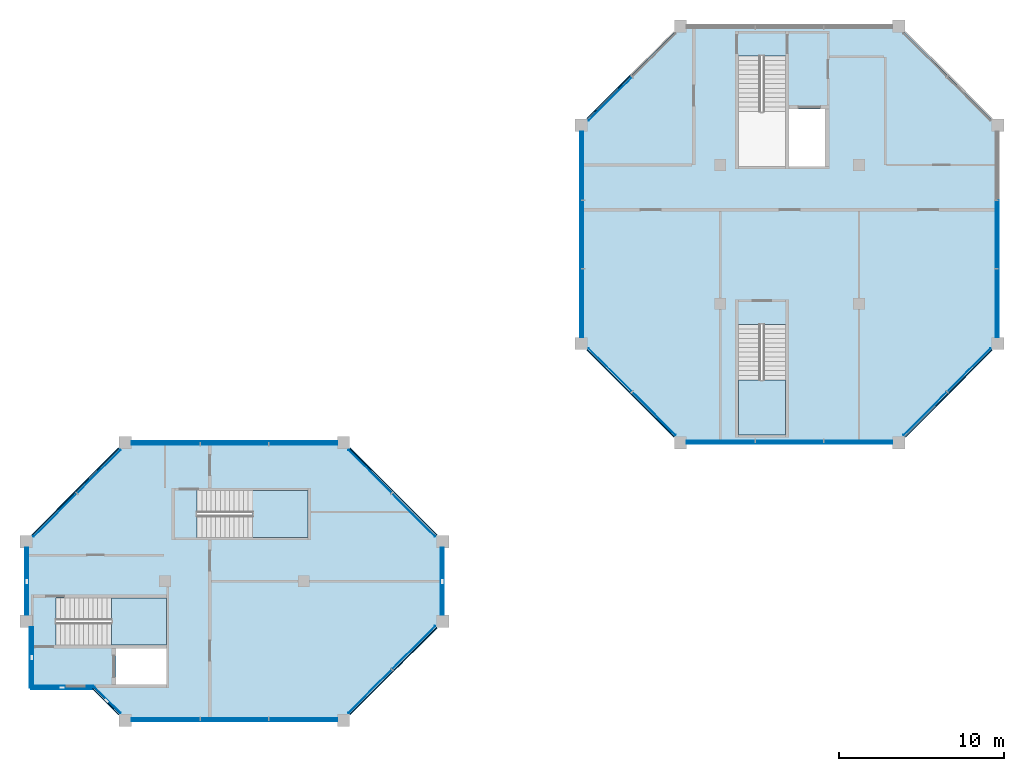
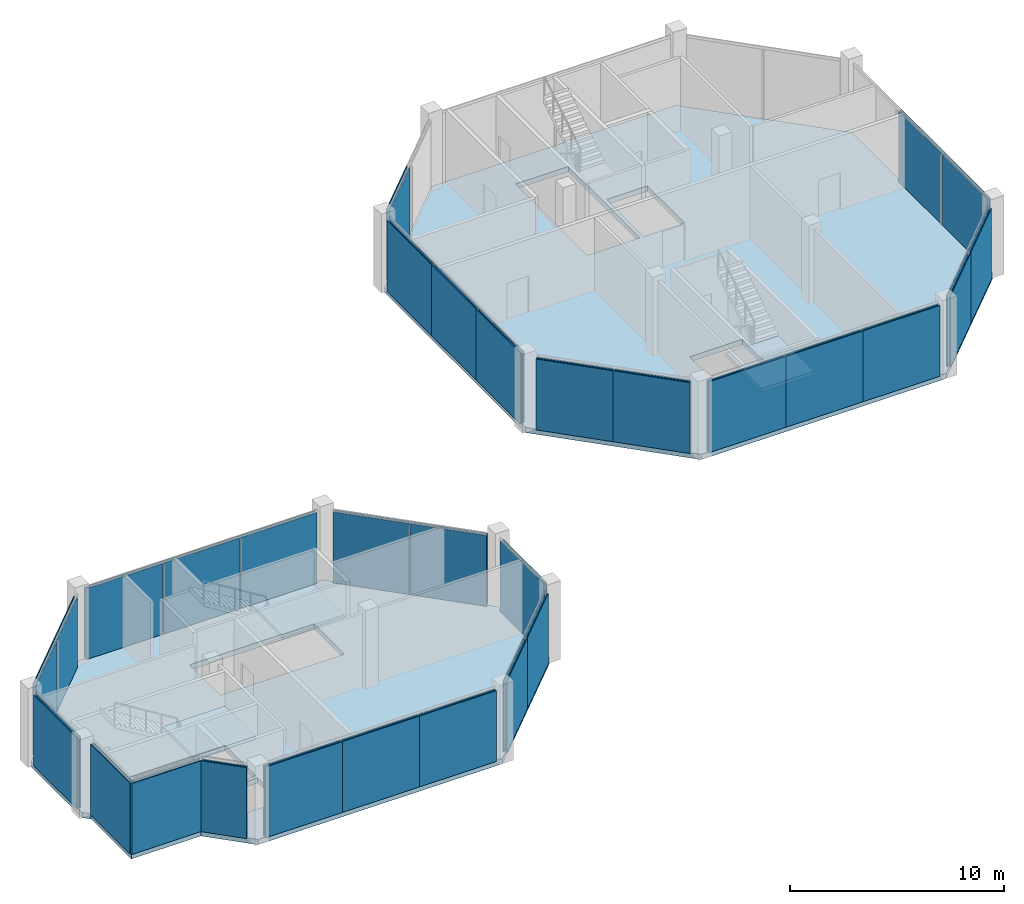
# One storey, part 4 of 9: 60 plates, 5 slabs, 19 elements without a shape of their own.
"""IFC4 building model written with IfcOpenShell, lengths in metres."""

from ifc_helpers import new_model, si_unit, direction, frame, origin, origin_2d, place, context, subcontext, project, spatial, polyline, rectangle, outline, extrude, material, layer, layer_set, type_object, element, aggregate, save


model = new_model("IFC4")

# Units and contexts
model_context = context("Model", 3, precision=1e-05, world=origin(), true_north=direction((0.0, 1.0)))
body_context = subcontext(model_context, "Body", "Model", "MODEL_VIEW")
ifc_project = project(units=[si_unit("LENGTHUNIT", "METRE"), si_unit("AREAUNIT", "SQUARE_METRE"), si_unit("VOLUMEUNIT", "CUBIC_METRE"), si_unit("PLANEANGLEUNIT", "RADIAN"), si_unit("MASSUNIT", "GRAM", prefix="KILO")], contexts=[model_context])

# Site, building, storey
site_placement = place(None, origin())
site = spatial("IfcSite", under=ifc_project, at=site_placement, CompositionType="ELEMENT")
building_placement = place(site_placement, origin())
building = spatial("IfcBuilding", under=site, at=building_placement, Name="Kawkab Arch Medical Tower", CompositionType="ELEMENT")
storey_placement = place(building_placement, frame((0.0, 0.0, 345.699951171875)))
storey = spatial("IfcBuildingStorey", under=building, at=storey_placement, Name="L80", CompositionType="ELEMENT", Elevation=345.699951171875)

# Curtain wall, plate
ifc_material_1 = material(Name="Bronze anodised aluminium curtain wall frame", Category="aluminium")
ifc_layer_1 = layer(ifc_material_1, 0.159912109375)
ifc_layer_set_1 = layer_set([ifc_layer_1], Name="Bronze anodised aluminium curtain wall frame")
curtain_wall_type = type_object("IfcCurtainWallType", Name="CW6 helipad lobby and crown glazing", PredefinedType="NOTDEFINED", material=ifc_layer_set_1)
placement_1 = place(storey_placement, origin())
curtain_wall_1 = element("IfcCurtainWall", 1, at=placement_1, inside=storey, type_object=curtain_wall_type, Name="CW6 Helipad lobby and crown glazing R03", PredefinedType="NOTDEFINED")
ifc_material_2 = material(Name="Tinted laminated insulating glass, low iron", Category="glass")
ifc_layer_2 = layer(ifc_material_2, 0.0400390625)
ifc_layer_set_2 = layer_set([ifc_layer_2], Name="Tinted laminated insulating glass, low iron")
plate_type_1 = type_object("IfcPlateType", Name="CW6 glazing unit 40", PredefinedType="CURTAIN_PANEL", material=ifc_layer_set_2)
plate_1_placement = place(storey_placement, frame((35.345703125, -4.3955078125, 0.0), z_axis=(0.0, 0.0, 1.0), x_axis=(-0.707106781187, -0.707106781187, 0.0)))
plate_1 = element("IfcPlate", 2, at=plate_1_placement, type_object=plate_type_1, Name="CW6 glazing unit 1.2", PredefinedType="CURTAIN_PANEL", context=body_context, shape_type="SweptSolid", body=[
    extrude(rectangle(XDim=3.67724609375, YDim=0.0400390625, at=origin_2d()), origin(), (0.0, 0.0, 1.0), 4.0400390625),
])
aggregate(curtain_wall_1, [plate_1])

# Curtain wall, plates
curtain_wall_2 = element("IfcCurtainWall", 3, at=placement_1, inside=storey, type_object=curtain_wall_type, Name="CW6 Helipad lobby and crown glazing R04", PredefinedType="NOTDEFINED")
plate_2_placement = place(storey_placement, frame((33.699951171875, -8.4326171875, 0.0), z_axis=(0.0, 0.0, 1.0), x_axis=(0.0, -1.0, 0.0)))
plate_2 = element("IfcPlate", 4, at=plate_2_placement, type_object=plate_type_1, Name="CW6 glazing unit 1.1", PredefinedType="CURTAIN_PANEL", context=body_context, shape_type="SweptSolid", body=[
    extrude(rectangle(XDim=4.114990234375, YDim=0.0400390625, at=origin_2d()), origin(), (0.0, 0.0, 1.0), 4.0400390625),
])
plate_3_placement = place(storey_placement, frame((33.699951171875, -12.60009765625, 0.0), z_axis=(0.0, 0.0, 1.0), x_axis=(0.0, -1.0, 0.0)))
plate_3 = element("IfcPlate", 5, at=plate_3_placement, type_object=plate_type_1, Name="CW6 glazing unit 1.2", PredefinedType="CURTAIN_PANEL", context=body_context, shape_type="SweptSolid", body=[
    extrude(rectangle(XDim=4.080078125, YDim=0.0400390625, at=origin_2d()), origin(), (0.0, 0.0, 1.0), 4.0400390625),
])
plate_4_placement = place(storey_placement, frame((33.699951171875, -16.767578125, 0.0), z_axis=(0.0, 0.0, 1.0), x_axis=(0.0, -1.0, 0.0)))
plate_4 = element("IfcPlate", 6, at=plate_4_placement, type_object=plate_type_1, Name="CW6 glazing unit 1.3", PredefinedType="CURTAIN_PANEL", context=body_context, shape_type="SweptSolid", body=[
    extrude(rectangle(XDim=4.114990234375, YDim=0.0400390625, at=origin_2d()), origin(), (0.0, 0.0, 1.0), 4.0400390625),
])
aggregate(curtain_wall_2, [plate_2, plate_3, plate_4])

curtain_wall_3 = element("IfcCurtainWall", 7, at=placement_1, inside=storey, type_object=curtain_wall_type, Name="CW6 Helipad lobby and crown glazing R05", PredefinedType="NOTDEFINED")
plate_5_placement = place(storey_placement, frame((35.345703125, -20.804443359375, 0.0), z_axis=(0.0, 0.0, 1.0), x_axis=(0.707106781187, -0.707106781187, 0.0)))
plate_5 = element("IfcPlate", 8, at=plate_5_placement, type_object=plate_type_1, Name="CW6 glazing unit 1.1", PredefinedType="CURTAIN_PANEL", context=body_context, shape_type="SweptSolid", body=[
    extrude(rectangle(XDim=3.67724609375, YDim=0.0400390625, at=origin_2d()), origin(), (0.0, 0.0, 1.0), 4.0400390625),
])
plate_6_placement = place(storey_placement, frame((37.99560546875, -23.4541015625, 0.0), z_axis=(0.0, 0.0, 1.0), x_axis=(0.707106781187, -0.707106781187, 0.0)))
plate_6 = element("IfcPlate", 9, at=plate_6_placement, type_object=plate_type_1, Name="CW6 glazing unit 1.2", PredefinedType="CURTAIN_PANEL", context=body_context, shape_type="SweptSolid", body=[
    extrude(rectangle(XDim=3.67724609375, YDim=0.0400390625, at=origin_2d()), origin(), (0.0, 0.0, 1.0), 4.0400390625),
])
aggregate(curtain_wall_3, [plate_5, plate_6])

curtain_wall_4 = element("IfcCurtainWall", 10, at=placement_1, inside=storey, type_object=curtain_wall_type, Name="CW6 Helipad lobby and crown glazing R06", PredefinedType="NOTDEFINED")
plate_7_placement = place(storey_placement, frame((42.032470703125, -25.10009765625, 0.0), z_axis=(0.0, 0.0, 1.0), x_axis=(1.0, 0.0, 0.0)))
plate_7 = element("IfcPlate", 11, at=plate_7_placement, type_object=plate_type_1, Name="CW6 glazing unit 1.1", PredefinedType="CURTAIN_PANEL", context=body_context, shape_type="SweptSolid", body=[
    extrude(rectangle(XDim=4.114990234375, YDim=0.0400390625, at=origin_2d()), origin(), (0.0, 0.0, 1.0), 4.0400390625),
])
plate_8_placement = place(storey_placement, frame((46.199951171875, -25.10009765625, 0.0), z_axis=(0.0, 0.0, 1.0), x_axis=(1.0, 0.0, 0.0)))
plate_8 = element("IfcPlate", 12, at=plate_8_placement, type_object=plate_type_1, Name="CW6 glazing unit 1.2", PredefinedType="CURTAIN_PANEL", context=body_context, shape_type="SweptSolid", body=[
    extrude(rectangle(XDim=4.080078125, YDim=0.0400390625, at=origin_2d()), origin(), (0.0, 0.0, 1.0), 4.0400390625),
])
plate_9_placement = place(storey_placement, frame((50.367431640625, -25.10009765625, 0.0), z_axis=(0.0, 0.0, 1.0), x_axis=(1.0, 0.0, 0.0)))
plate_9 = element("IfcPlate", 13, at=plate_9_placement, type_object=plate_type_1, Name="CW6 glazing unit 1.3", PredefinedType="CURTAIN_PANEL", context=body_context, shape_type="SweptSolid", body=[
    extrude(rectangle(XDim=4.114990234375, YDim=0.0400390625, at=origin_2d()), origin(), (0.0, 0.0, 1.0), 4.0400390625),
])
aggregate(curtain_wall_4, [plate_7, plate_8, plate_9])

curtain_wall_5 = element("IfcCurtainWall", 14, at=placement_1, inside=storey, type_object=curtain_wall_type, Name="CW6 Helipad lobby and crown glazing R07", PredefinedType="NOTDEFINED")
plate_10_placement = place(storey_placement, frame((54.404296875, -23.4541015625, 0.0), z_axis=(0.0, 0.0, 1.0), x_axis=(0.707106781187, 0.707106781187, 0.0)))
plate_10 = element("IfcPlate", 15, at=plate_10_placement, type_object=plate_type_1, Name="CW6 glazing unit 1.1", PredefinedType="CURTAIN_PANEL", context=body_context, shape_type="SweptSolid", body=[
    extrude(rectangle(XDim=3.67724609375, YDim=0.0400390625, at=origin_2d()), origin(), (0.0, 0.0, 1.0), 4.0400390625),
])
plate_11_placement = place(storey_placement, frame((57.05419921875, -20.804443359375, 0.0), z_axis=(0.0, 0.0, 1.0), x_axis=(0.707106781187, 0.707106781187, 0.0)))
plate_11 = element("IfcPlate", 16, at=plate_11_placement, type_object=plate_type_1, Name="CW6 glazing unit 1.2", PredefinedType="CURTAIN_PANEL", context=body_context, shape_type="SweptSolid", body=[
    extrude(rectangle(XDim=3.67724609375, YDim=0.0400390625, at=origin_2d()), origin(), (0.0, 0.0, 1.0), 4.0400390625),
])
aggregate(curtain_wall_5, [plate_10, plate_11])

curtain_wall_6 = element("IfcCurtainWall", 17, at=placement_1, inside=storey, type_object=curtain_wall_type, Name="CW6 Helipad lobby and crown glazing R08", PredefinedType="NOTDEFINED")
plate_12_placement = place(storey_placement, frame((58.699951171875, -16.767578125, 0.0), z_axis=(0.0, 0.0, 1.0), x_axis=(0.0, 1.0, 0.0)))
plate_12 = element("IfcPlate", 18, at=plate_12_placement, type_object=plate_type_1, Name="CW6 glazing unit 1.1", PredefinedType="CURTAIN_PANEL", context=body_context, shape_type="SweptSolid", body=[
    extrude(rectangle(XDim=4.114990234375, YDim=0.0400390625, at=origin_2d()), origin(), (0.0, 0.0, 1.0), 4.0400390625),
])
plate_13_placement = place(storey_placement, frame((58.699951171875, -12.60009765625, 0.0), z_axis=(0.0, 0.0, 1.0), x_axis=(0.0, 1.0, 0.0)))
plate_13 = element("IfcPlate", 19, at=plate_13_placement, type_object=plate_type_1, Name="CW6 glazing unit 1.2", PredefinedType="CURTAIN_PANEL", context=body_context, shape_type="SweptSolid", body=[
    extrude(rectangle(XDim=4.080078125, YDim=0.0400390625, at=origin_2d()), origin(), (0.0, 0.0, 1.0), 4.0400390625),
])
aggregate(curtain_wall_6, [plate_12, plate_13])

curtain_wall_7 = element("IfcCurtainWall", 20, at=placement_1, inside=storey, type_object=curtain_wall_type, Name="CW6 Helipad lobby and crown glazing R09", PredefinedType="NOTDEFINED")
plate_14_placement = place(storey_placement, frame((23.4541015625, -29.595703125, 0.0), z_axis=(0.0, 0.0, 1.0), x_axis=(-0.707106781187, 0.707106781187, 0.0)))
plate_14 = element("IfcPlate", 21, at=plate_14_placement, type_object=plate_type_1, Name="CW6 glazing unit 1.1", PredefinedType="CURTAIN_PANEL", context=body_context, shape_type="SweptSolid", body=[
    extrude(rectangle(XDim=3.67724609375, YDim=0.0400390625, at=origin_2d()), origin(), (0.0, 0.0, 1.0), 4.0400390625),
])
plate_15_placement = place(storey_placement, frame((20.804443359375, -26.94580078125, 0.0), z_axis=(0.0, 0.0, 1.0), x_axis=(-0.707106781187, 0.707106781187, 0.0)))
plate_15 = element("IfcPlate", 22, at=plate_15_placement, type_object=plate_type_1, Name="CW6 glazing unit 1.2", PredefinedType="CURTAIN_PANEL", context=body_context, shape_type="SweptSolid", body=[
    extrude(rectangle(XDim=3.67724609375, YDim=0.0400390625, at=origin_2d()), origin(), (0.0, 0.0, 1.0), 4.0400390625),
])
aggregate(curtain_wall_7, [plate_14, plate_15])

curtain_wall_8 = element("IfcCurtainWall", 23, at=placement_1, inside=storey, type_object=curtain_wall_type, Name="CW6 Helipad lobby and crown glazing R10", PredefinedType="NOTDEFINED")
plate_16_placement = place(storey_placement, frame((16.767578125, -25.300048828125, 0.0), z_axis=(0.0, 0.0, 1.0), x_axis=(-1.0, 0.0, 0.0)))
plate_16 = element("IfcPlate", 24, at=plate_16_placement, type_object=plate_type_1, Name="CW6 glazing unit 1.1", PredefinedType="CURTAIN_PANEL", context=body_context, shape_type="SweptSolid", body=[
    extrude(rectangle(XDim=4.114990234375, YDim=0.0400390625, at=origin_2d()), origin(), (0.0, 0.0, 1.0), 4.0400390625),
])
plate_17_placement = place(storey_placement, frame((12.60009765625, -25.300048828125, 0.0), z_axis=(0.0, 0.0, 1.0), x_axis=(-1.0, 0.0, 0.0)))
plate_17 = element("IfcPlate", 25, at=plate_17_placement, type_object=plate_type_1, Name="CW6 glazing unit 1.2", PredefinedType="CURTAIN_PANEL", context=body_context, shape_type="SweptSolid", body=[
    extrude(rectangle(XDim=4.080078125, YDim=0.0400390625, at=origin_2d()), origin(), (0.0, 0.0, 1.0), 4.0400390625),
])
plate_18_placement = place(storey_placement, frame((8.4326171875, -25.300048828125, 0.0), z_axis=(0.0, 0.0, 1.0), x_axis=(-1.0, 0.0, 0.0)))
plate_18 = element("IfcPlate", 26, at=plate_18_placement, type_object=plate_type_1, Name="CW6 glazing unit 1.3", PredefinedType="CURTAIN_PANEL", context=body_context, shape_type="SweptSolid", body=[
    extrude(rectangle(XDim=4.114990234375, YDim=0.0400390625, at=origin_2d()), origin(), (0.0, 0.0, 1.0), 4.0400390625),
])
aggregate(curtain_wall_8, [plate_16, plate_17, plate_18])

curtain_wall_9 = element("IfcCurtainWall", 27, at=placement_1, inside=storey, type_object=curtain_wall_type, Name="CW6 Helipad lobby and crown glazing R11", PredefinedType="NOTDEFINED")
plate_19_placement = place(storey_placement, frame((4.3955078125, -26.94580078125, 0.0), z_axis=(0.0, 0.0, 1.0), x_axis=(-0.707106781187, -0.707106781187, 0.0)))
plate_19 = element("IfcPlate", 28, at=plate_19_placement, type_object=plate_type_1, Name="CW6 glazing unit 1.1", PredefinedType="CURTAIN_PANEL", context=body_context, shape_type="SweptSolid", body=[
    extrude(rectangle(XDim=3.67724609375, YDim=0.0400390625, at=origin_2d()), origin(), (0.0, 0.0, 1.0), 4.0400390625),
])
plate_20_placement = place(storey_placement, frame((1.745849609375, -29.595703125, 0.0), z_axis=(0.0, 0.0, 1.0), x_axis=(-0.707106781187, -0.707106781187, 0.0)))
plate_20 = element("IfcPlate", 29, at=plate_20_placement, type_object=plate_type_1, Name="CW6 glazing unit 1.2", PredefinedType="CURTAIN_PANEL", context=body_context, shape_type="SweptSolid", body=[
    extrude(rectangle(XDim=3.67724609375, YDim=0.0400390625, at=origin_2d()), origin(), (0.0, 0.0, 1.0), 4.0400390625),
])
aggregate(curtain_wall_9, [plate_19, plate_20])

# Curtain wall, plate
curtain_wall_10 = element("IfcCurtainWall", 30, at=placement_1, inside=storey, type_object=curtain_wall_type, Name="CW6 Helipad lobby and crown glazing R12", PredefinedType="NOTDEFINED")
plate_21_placement = place(storey_placement, frame((0.10009765625, -33.60009765625, 0.0), z_axis=(0.0, 0.0, 1.0), x_axis=(0.0, -1.0, 0.0)))
plate_21 = element("IfcPlate", 31, at=plate_21_placement, type_object=plate_type_1, Name="CW6 glazing unit 1.1", PredefinedType="CURTAIN_PANEL", context=body_context, shape_type="SweptSolid", body=[
    extrude(rectangle(XDim=4.050048828125, YDim=0.0400390625, at=origin_2d()), origin(), (0.0, 0.0, 1.0), 4.0400390625),
])
aggregate(curtain_wall_10, [plate_21])

curtain_wall_11 = element("IfcCurtainWall", 32, at=placement_1, inside=storey, type_object=curtain_wall_type, Name="CW6 Helipad lobby and crown glazing R14", PredefinedType="NOTDEFINED")
plate_22_placement = place(storey_placement, frame((0.39990234375, -38.21240234375, 0.0), z_axis=(0.0, 0.0, 1.0), x_axis=(0.0, -1.0, 0.0)))
plate_22 = element("IfcPlate", 33, at=plate_22_placement, type_object=plate_type_1, Name="CW6 glazing unit 1.1", PredefinedType="CURTAIN_PANEL", context=body_context, shape_type="SweptSolid", body=[
    extrude(rectangle(XDim=3.675048828125, YDim=0.0400390625, at=origin_2d()), origin(), (0.0, 0.0, 1.0), 4.0400390625),
])
aggregate(curtain_wall_11, [plate_22])

curtain_wall_12 = element("IfcCurtainWall", 34, at=placement_1, inside=storey, type_object=curtain_wall_type, Name="CW6 Helipad lobby and crown glazing R15", PredefinedType="NOTDEFINED")
plate_23_placement = place(storey_placement, frame((2.175048828125, -39.949951171875, 0.0), z_axis=(0.0, 0.0, 1.0), x_axis=(1.0, 0.0, 0.0)))
plate_23 = element("IfcPlate", 35, at=plate_23_placement, type_object=plate_type_1, Name="CW6 glazing unit 1.1", PredefinedType="CURTAIN_PANEL", context=body_context, shape_type="SweptSolid", body=[
    extrude(rectangle(XDim=3.75, YDim=0.0400390625, at=origin_2d()), origin(), (0.0, 0.0, 1.0), 4.0400390625),
])
aggregate(curtain_wall_12, [plate_23])

curtain_wall_13 = element("IfcCurtainWall", 36, at=placement_1, inside=storey, type_object=curtain_wall_type, Name="CW6 Helipad lobby and crown glazing R16", PredefinedType="NOTDEFINED")
plate_24_placement = place(storey_placement, frame((4.908203125, -40.766845703125, 0.0), z_axis=(0.0, 0.0, 1.0), x_axis=(0.707106781187, -0.707106781187, 0.0)))
plate_24 = element("IfcPlate", 37, at=plate_24_placement, type_object=plate_type_1, Name="CW6 glazing unit 1.1", PredefinedType="CURTAIN_PANEL", context=body_context, shape_type="SweptSolid", body=[
    extrude(rectangle(XDim=2.227294921875, YDim=0.0400390625, at=origin_2d()), origin(), (0.0, 0.0, 1.0), 4.0400390625),
])
aggregate(curtain_wall_13, [plate_24])

# Curtain wall, plates
curtain_wall_14 = element("IfcCurtainWall", 38, at=placement_1, inside=storey, type_object=curtain_wall_type, Name="CW6 Helipad lobby and crown glazing R17", PredefinedType="NOTDEFINED")
plate_25_placement = place(storey_placement, frame((8.4326171875, -41.89990234375, 0.0), z_axis=(0.0, 0.0, 1.0), x_axis=(1.0, 0.0, 0.0)))
plate_25 = element("IfcPlate", 39, at=plate_25_placement, type_object=plate_type_1, Name="CW6 glazing unit 1.1", PredefinedType="CURTAIN_PANEL", context=body_context, shape_type="SweptSolid", body=[
    extrude(rectangle(XDim=4.114990234375, YDim=0.0400390625, at=origin_2d()), origin(), (0.0, 0.0, 1.0), 4.0400390625),
])
plate_26_placement = place(storey_placement, frame((12.60009765625, -41.89990234375, 0.0), z_axis=(0.0, 0.0, 1.0), x_axis=(1.0, 0.0, 0.0)))
plate_26 = element("IfcPlate", 40, at=plate_26_placement, type_object=plate_type_1, Name="CW6 glazing unit 1.2", PredefinedType="CURTAIN_PANEL", context=body_context, shape_type="SweptSolid", body=[
    extrude(rectangle(XDim=4.080078125, YDim=0.0400390625, at=origin_2d()), origin(), (0.0, 0.0, 1.0), 4.0400390625),
])
plate_27_placement = place(storey_placement, frame((16.767578125, -41.89990234375, 0.0), z_axis=(0.0, 0.0, 1.0), x_axis=(1.0, 0.0, 0.0)))
plate_27 = element("IfcPlate", 41, at=plate_27_placement, type_object=plate_type_1, Name="CW6 glazing unit 1.3", PredefinedType="CURTAIN_PANEL", context=body_context, shape_type="SweptSolid", body=[
    extrude(rectangle(XDim=4.114990234375, YDim=0.0400390625, at=origin_2d()), origin(), (0.0, 0.0, 1.0), 4.0400390625),
])
aggregate(curtain_wall_14, [plate_25, plate_26, plate_27])

curtain_wall_15 = element("IfcCurtainWall", 42, at=placement_1, inside=storey, type_object=curtain_wall_type, Name="CW6 Helipad lobby and crown glazing R18", PredefinedType="NOTDEFINED")
plate_28_placement = place(storey_placement, frame((20.804443359375, -40.254150390625, 0.0), z_axis=(0.0, 0.0, 1.0), x_axis=(0.707106781187, 0.707106781187, 0.0)))
plate_28 = element("IfcPlate", 43, at=plate_28_placement, type_object=plate_type_1, Name="CW6 glazing unit 1.1", PredefinedType="CURTAIN_PANEL", context=body_context, shape_type="SweptSolid", body=[
    extrude(rectangle(XDim=3.67724609375, YDim=0.0400390625, at=origin_2d()), origin(), (0.0, 0.0, 1.0), 4.0400390625),
])
plate_29_placement = place(storey_placement, frame((23.4541015625, -37.6044921875, 0.0), z_axis=(0.0, 0.0, 1.0), x_axis=(0.707106781187, 0.707106781187, 0.0)))
plate_29 = element("IfcPlate", 44, at=plate_29_placement, type_object=plate_type_1, Name="CW6 glazing unit 1.2", PredefinedType="CURTAIN_PANEL", context=body_context, shape_type="SweptSolid", body=[
    extrude(rectangle(XDim=3.67724609375, YDim=0.0400390625, at=origin_2d()), origin(), (0.0, 0.0, 1.0), 4.0400390625),
])
aggregate(curtain_wall_15, [plate_28, plate_29])

# Curtain wall, plate
curtain_wall_16 = element("IfcCurtainWall", 45, at=placement_1, inside=storey, type_object=curtain_wall_type, Name="CW6 Helipad lobby and crown glazing R19", PredefinedType="NOTDEFINED")
plate_30_placement = place(storey_placement, frame((25.10009765625, -33.60009765625, 0.0), z_axis=(0.0, 0.0, 1.0), x_axis=(0.0, 1.0, 0.0)))
plate_30 = element("IfcPlate", 46, at=plate_30_placement, type_object=plate_type_1, Name="CW6 glazing unit 1.1", PredefinedType="CURTAIN_PANEL", context=body_context, shape_type="SweptSolid", body=[
    extrude(rectangle(XDim=4.050048828125, YDim=0.0400390625, at=origin_2d()), origin(), (0.0, 0.0, 1.0), 4.0400390625),
])
aggregate(curtain_wall_16, [plate_30])

# Plates
ifc_material_3 = material(Name="Bronze anodised aluminium perforated screen", Category="aluminium")
ifc_layer_3 = layer(ifc_material_3, 0.050048828125)
ifc_layer_set_3 = layer_set([ifc_layer_3], Name="Bronze anodised aluminium perforated screen")
plate_type_2 = type_object("IfcPlateType", Name="Crown perforated star screen 50", PredefinedType="USERDEFINED", material=ifc_layer_set_3)
plate_31_placement = place(storey_placement, frame((35.255615234375, -4.28076171875, 0.0), z_axis=(0.0, 0.0, 1.0), x_axis=(-0.707106781187, -0.707106781187, 0.0)))
element("IfcPlate", 47, at=plate_31_placement, inside=storey, type_object=plate_type_2, Name="Crown screen L80 R03.1.2", ObjectType="SCREEN", PredefinedType="USERDEFINED", context=body_context, shape_type="SweptSolid", body=[
    extrude(rectangle(XDim=3.71240234375, YDim=0.050048828125, at=origin_2d()), origin(), (0.0, 0.0, 1.0), 4.0400390625),
])
for number, where, z_axis, x_axis, name in (
    (48, (33.554931640625, -8.449951171875, 0.0), (0.0, 0.0, 1.0), (0.0, -1.0, 0.0), "Crown screen L80 R04.1.1"),
    (49, (33.554931640625, -12.60009765625, 0.0), (0.0, 0.0, 1.0), (0.0, -1.0, 0.0), "Crown screen L80 R04.1.2"),
    (50, (33.554931640625, -16.75, 0.0), (0.0, 0.0, 1.0), (0.0, -1.0, 0.0), "Crown screen L80 R04.1.3"),
):
    element("IfcPlate", number, at=place(storey_placement, frame(where, z_axis=z_axis, x_axis=x_axis)), inside=storey, type_object=plate_type_2, Name=name, ObjectType="SCREEN", PredefinedType="USERDEFINED", context=body_context, shape_type="SweptSolid", body=[
        extrude(rectangle(XDim=4.14990234375, YDim=0.050048828125, at=origin_2d()), origin(), (0.0, 0.0, 1.0), 4.0400390625),
    ])
for number, where, z_axis, x_axis, name in (
    (51, (35.255615234375, -20.919189453125, 0.0), (0.0, 0.0, 1.0), (0.707106781187, -0.707106781187, 0.0), "Crown screen L80 R05.1.1"),
    (52, (37.880615234375, -23.54443359375, 0.0), (0.0, 0.0, 1.0), (0.707106781187, -0.707106781187, 0.0), "Crown screen L80 R05.1.2"),
):
    element("IfcPlate", number, at=place(storey_placement, frame(where, z_axis=z_axis, x_axis=x_axis)), inside=storey, type_object=plate_type_2, Name=name, ObjectType="SCREEN", PredefinedType="USERDEFINED", context=body_context, shape_type="SweptSolid", body=[
        extrude(rectangle(XDim=3.71240234375, YDim=0.050048828125, at=origin_2d()), origin(), (0.0, 0.0, 1.0), 4.0400390625),
    ])
for number, where, z_axis, x_axis, name in (
    (53, (42.050048828125, -25.2451171875, 0.0), (0.0, 0.0, 1.0), (1.0, 0.0, 0.0), "Crown screen L80 R06.1.1"),
    (54, (46.199951171875, -25.2451171875, 0.0), (0.0, 0.0, 1.0), (1.0, 0.0, 0.0), "Crown screen L80 R06.1.2"),
    (55, (50.35009765625, -25.2451171875, 0.0), (0.0, 0.0, 1.0), (1.0, 0.0, 0.0), "Crown screen L80 R06.1.3"),
):
    element("IfcPlate", number, at=place(storey_placement, frame(where, z_axis=z_axis, x_axis=x_axis)), inside=storey, type_object=plate_type_2, Name=name, ObjectType="SCREEN", PredefinedType="USERDEFINED", context=body_context, shape_type="SweptSolid", body=[
        extrude(rectangle(XDim=4.14990234375, YDim=0.050048828125, at=origin_2d()), origin(), (0.0, 0.0, 1.0), 4.0400390625),
    ])
for number, where, z_axis, x_axis, name in (
    (56, (54.519287109375, -23.544189453125, 0.0), (0.0, 0.0, 1.0), (0.707106781187, 0.707106781187, 0.0), "Crown screen L80 R07.1.1"),
    (57, (57.144287109375, -20.919189453125, 0.0), (0.0, 0.0, 1.0), (0.707106781187, 0.707106781187, 0.0), "Crown screen L80 R07.1.2"),
):
    element("IfcPlate", number, at=place(storey_placement, frame(where, z_axis=z_axis, x_axis=x_axis)), inside=storey, type_object=plate_type_2, Name=name, ObjectType="SCREEN", PredefinedType="USERDEFINED", context=body_context, shape_type="SweptSolid", body=[
        extrude(rectangle(XDim=3.71240234375, YDim=0.050048828125, at=origin_2d()), origin(), (0.0, 0.0, 1.0), 4.0400390625),
    ])
for number, where, z_axis, x_axis, name in (
    (58, (58.844970703125, -16.75, 0.0), (0.0, 0.0, 1.0), (0.0, 1.0, 0.0), "Crown screen L80 R08.1.1"),
    (59, (58.844970703125, -12.60009765625, 0.0), (0.0, 0.0, 1.0), (0.0, 1.0, 0.0), "Crown screen L80 R08.1.2"),
):
    element("IfcPlate", number, at=place(storey_placement, frame(where, z_axis=z_axis, x_axis=x_axis)), inside=storey, type_object=plate_type_2, Name=name, ObjectType="SCREEN", PredefinedType="USERDEFINED", context=body_context, shape_type="SweptSolid", body=[
        extrude(rectangle(XDim=4.14990234375, YDim=0.050048828125, at=origin_2d()), origin(), (0.0, 0.0, 1.0), 4.0400390625),
    ])
for number, where, z_axis, x_axis, name in (
    (60, (23.544189453125, -29.480712890625, 0.0), (0.0, 0.0, 1.0), (-0.707106781187, 0.707106781187, 0.0), "Crown screen L80 R09.1.1"),
    (61, (20.919189453125, -26.855712890625, 0.0), (0.0, 0.0, 1.0), (-0.707106781187, 0.707106781187, 0.0), "Crown screen L80 R09.1.2"),
):
    element("IfcPlate", number, at=place(storey_placement, frame(where, z_axis=z_axis, x_axis=x_axis)), inside=storey, type_object=plate_type_2, Name=name, ObjectType="SCREEN", PredefinedType="USERDEFINED", context=body_context, shape_type="SweptSolid", body=[
        extrude(rectangle(XDim=3.71240234375, YDim=0.050048828125, at=origin_2d()), origin(), (0.0, 0.0, 1.0), 4.0400390625),
    ])
for number, where, z_axis, x_axis, name in (
    (62, (16.75, -25.155029296875, 0.0), (0.0, 0.0, 1.0), (-1.0, 0.0, 0.0), "Crown screen L80 R10.1.1"),
    (63, (12.60009765625, -25.155029296875, 0.0), (0.0, 0.0, 1.0), (-1.0, 0.0, 0.0), "Crown screen L80 R10.1.2"),
    (64, (8.449951171875, -25.155029296875, 0.0), (0.0, 0.0, 1.0), (-1.0, 0.0, 0.0), "Crown screen L80 R10.1.3"),
):
    element("IfcPlate", number, at=place(storey_placement, frame(where, z_axis=z_axis, x_axis=x_axis)), inside=storey, type_object=plate_type_2, Name=name, ObjectType="SCREEN", PredefinedType="USERDEFINED", context=body_context, shape_type="SweptSolid", body=[
        extrude(rectangle(XDim=4.14990234375, YDim=0.050048828125, at=origin_2d()), origin(), (0.0, 0.0, 1.0), 4.0400390625),
    ])
for number, where, z_axis, x_axis, name in (
    (65, (4.28076171875, -26.855712890625, 0.0), (0.0, 0.0, 1.0), (-0.707106781187, -0.707106781187, 0.0), "Crown screen L80 R11.1.1"),
    (66, (1.655517578125, -29.480712890625, 0.0), (0.0, 0.0, 1.0), (-0.707106781187, -0.707106781187, 0.0), "Crown screen L80 R11.1.2"),
):
    element("IfcPlate", number, at=place(storey_placement, frame(where, z_axis=z_axis, x_axis=x_axis)), inside=storey, type_object=plate_type_2, Name=name, ObjectType="SCREEN", PredefinedType="USERDEFINED", context=body_context, shape_type="SweptSolid", body=[
        extrude(rectangle(XDim=3.71240234375, YDim=0.050048828125, at=origin_2d()), origin(), (0.0, 0.0, 1.0), 4.0400390625),
    ])
plate_32_placement = place(storey_placement, frame((-0.044921875, -33.60009765625, 0.0), z_axis=(0.0, 0.0, 1.0), x_axis=(0.0, -1.0, 0.0)))
element("IfcPlate", 67, at=plate_32_placement, inside=storey, type_object=plate_type_2, Name="Crown screen L80 R12.1.1", ObjectType="SCREEN", PredefinedType="USERDEFINED", context=body_context, shape_type="SweptSolid", body=[
    extrude(rectangle(XDim=4.050048828125, YDim=0.050048828125, at=origin_2d()), origin(), (0.0, 0.0, 1.0), 4.0400390625),
])
plate_33_placement = place(storey_placement, frame((0.2548828125, -38.21240234375, 0.0), z_axis=(0.0, 0.0, 1.0), x_axis=(0.0, -1.0, 0.0)))
element("IfcPlate", 68, at=plate_33_placement, inside=storey, type_object=plate_type_2, Name="Crown screen L80 R14.1.1", ObjectType="SCREEN", PredefinedType="USERDEFINED", context=body_context, shape_type="SweptSolid", body=[
    extrude(rectangle(XDim=3.675048828125, YDim=0.050048828125, at=origin_2d()), origin(), (0.0, 0.0, 1.0), 4.0400390625),
])
plate_34_placement = place(storey_placement, frame((2.175048828125, -40.094970703125, 0.0), z_axis=(0.0, 0.0, 1.0), x_axis=(1.0, 0.0, 0.0)))
element("IfcPlate", 69, at=plate_34_placement, inside=storey, type_object=plate_type_2, Name="Crown screen L80 R15.1.1", ObjectType="SCREEN", PredefinedType="USERDEFINED", context=body_context, shape_type="SweptSolid", body=[
    extrude(rectangle(XDim=3.75, YDim=0.050048828125, at=origin_2d()), origin(), (0.0, 0.0, 1.0), 4.0400390625),
])
plate_35_placement = place(storey_placement, frame((4.8056640625, -40.869384765625, 0.0), z_axis=(0.0, 0.0, 1.0), x_axis=(0.707106781187, -0.707106781187, 0.0)))
element("IfcPlate", 70, at=plate_35_placement, inside=storey, type_object=plate_type_2, Name="Crown screen L80 R16.1.1", ObjectType="SCREEN", PredefinedType="USERDEFINED", context=body_context, shape_type="SweptSolid", body=[
    extrude(rectangle(XDim=2.227294921875, YDim=0.050048828125, at=origin_2d()), origin(), (0.0, 0.0, 1.0), 4.0400390625),
])
for number, where, z_axis, x_axis, name in (
    (71, (8.449951171875, -42.044921875, 0.0), (0.0, 0.0, 1.0), (1.0, 0.0, 0.0), "Crown screen L80 R17.1.1"),
    (72, (12.60009765625, -42.044921875, 0.0), (0.0, 0.0, 1.0), (1.0, 0.0, 0.0), "Crown screen L80 R17.1.2"),
    (73, (16.75, -42.044921875, 0.0), (0.0, 0.0, 1.0), (1.0, 0.0, 0.0), "Crown screen L80 R17.1.3"),
):
    element("IfcPlate", number, at=place(storey_placement, frame(where, z_axis=z_axis, x_axis=x_axis)), inside=storey, type_object=plate_type_2, Name=name, ObjectType="SCREEN", PredefinedType="USERDEFINED", context=body_context, shape_type="SweptSolid", body=[
        extrude(rectangle(XDim=4.14990234375, YDim=0.050048828125, at=origin_2d()), origin(), (0.0, 0.0, 1.0), 4.0400390625),
    ])
for number, where, z_axis, x_axis, name in (
    (74, (20.919189453125, -40.34423828125, 0.0), (0.0, 0.0, 1.0), (0.707106781187, 0.707106781187, 0.0), "Crown screen L80 R18.1.1"),
    (75, (23.54443359375, -37.71923828125, 0.0), (0.0, 0.0, 1.0), (0.707106781187, 0.707106781187, 0.0), "Crown screen L80 R18.1.2"),
):
    element("IfcPlate", number, at=place(storey_placement, frame(where, z_axis=z_axis, x_axis=x_axis)), inside=storey, type_object=plate_type_2, Name=name, ObjectType="SCREEN", PredefinedType="USERDEFINED", context=body_context, shape_type="SweptSolid", body=[
        extrude(rectangle(XDim=3.71240234375, YDim=0.050048828125, at=origin_2d()), origin(), (0.0, 0.0, 1.0), 4.0400390625),
    ])
plate_36_placement = place(storey_placement, frame((25.2451171875, -33.60009765625, 0.0), z_axis=(0.0, 0.0, 1.0), x_axis=(0.0, 1.0, 0.0)))
element("IfcPlate", 76, at=plate_36_placement, inside=storey, type_object=plate_type_2, Name="Crown screen L80 R19.1.1", ObjectType="SCREEN", PredefinedType="USERDEFINED", context=body_context, shape_type="SweptSolid", body=[
    extrude(rectangle(XDim=4.050048828125, YDim=0.050048828125, at=origin_2d()), origin(), (0.0, 0.0, 1.0), 4.0400390625),
])

# Stair, slab
ifc_material_4 = material(Name="Concrete C40/50", Category="concrete")
stair_type = type_object("IfcStairType", Name="Exit stair 1350", PredefinedType="HALF_TURN_STAIR", material=ifc_material_4)
stair_1 = element("IfcStair", 77, at=placement_1, inside=storey, type_object=stair_type, Name="L80 Exit stair ST6", PredefinedType="HALF_TURN_STAIR")
ifc_material_5 = material(Name="Concrete C40/50", Category="concrete")
ifc_layer_4 = layer(ifc_material_5, 0.199951171875)
ifc_layer_set_4 = layer_set([ifc_layer_4], Name="Concrete C40/50")
slab_type_1 = type_object("IfcSlabType", Name="Exit stair landing 200", PredefinedType="LANDING", material=ifc_layer_set_4)
placement_2 = place(storey_placement, frame((0.0, 0.0, 2.050048828125)))
slab_1 = element("IfcSlab", 78, at=placement_2, type_object=slab_type_1, Name="ST6 landing 1", PredefinedType="LANDING", context=body_context, shape_type="SweptSolid", body=[
    extrude(outline(polyline([(5.159912109375, -37.449951171875), (8.5, -37.449951171875), (8.5, -34.60009765625), (5.159912109375, -34.60009765625), (5.159912109375, -37.449951171875)])), origin(), (0.0, 0.0, 1.0), 0.199951171875),
])
aggregate(stair_1, [slab_1])

stair_2 = element("IfcStair", 79, at=placement_1, inside=storey, type_object=stair_type, Name="L80 Exit stair ST8", PredefinedType="HALF_TURN_STAIR")
slab_2 = element("IfcSlab", 80, at=placement_2, type_object=slab_type_1, Name="ST8 landing 1", PredefinedType="LANDING", context=body_context, shape_type="SweptSolid", body=[
    extrude(outline(polyline([(43.10009765625, -21.409912109375), (43.10009765625, -24.75), (45.949951171875, -24.75), (45.949951171875, -21.409912109375), (43.10009765625, -21.409912109375)])), origin(), (0.0, 0.0, 1.0), 0.199951171875),
])
aggregate(stair_2, [slab_2])

stair_3 = element("IfcStair", 81, at=placement_1, inside=storey, type_object=stair_type, Name="L80 Exit stair ST9", PredefinedType="HALF_TURN_STAIR")
slab_3 = element("IfcSlab", 82, at=placement_2, type_object=slab_type_1, Name="ST9 landing 1", PredefinedType="LANDING", context=body_context, shape_type="SweptSolid", body=[
    extrude(outline(polyline([(13.7099609375, -30.949951171875), (17.050048828125, -30.949951171875), (17.050048828125, -28.10009765625), (13.7099609375, -28.10009765625), (13.7099609375, -30.949951171875)])), origin(), (0.0, 0.0, 1.0), 0.199951171875),
])
aggregate(stair_3, [slab_3])

# Slabs
ifc_material_6 = material(Name="Concrete C40/50", Category="concrete")
ifc_layer_5 = layer(ifc_material_6, 0.300048828125)
ifc_layer_set_5 = layer_set([ifc_layer_5], Name="Concrete C40/50")
slab_type_2 = type_object("IfcSlabType", Name="Flat plate 300 C40/50", PredefinedType="FLOOR", material=ifc_layer_set_5)
placement_3 = place(storey_placement, frame((0.0, 0.0, -0.300048828125)))
element("IfcSlab", 83, at=placement_3, inside=storey, type_object=slab_type_2, Name="Floor slab L80", PredefinedType="FLOOR", context=body_context, shape_type="SweptSolid", body=[
    extrude(outline(polyline([(58.800048828125, -19.199951171875), (52.800048828125, -25.199951171875), (39.60009765625, -25.199951171875), (33.60009765625, -19.199951171875), (33.60009765625, -6.0), (39.60009765625, 0.0), (52.800048828125, 0.0), (58.800048828125, -6.0), (58.800048828125, -19.199951171875)]), holes=[polyline([(45.949951171875, -18.050048828125), (43.10009765625, -18.050048828125), (43.10009765625, -24.75), (45.949951171875, -24.75), (45.949951171875, -18.050048828125)]), polyline([(48.35009765625, -8.5), (48.35009765625, -5.02490234375), (46.14990234375, -5.02490234375), (46.14990234375, -8.5), (48.35009765625, -8.5)]), polyline([(45.949951171875, -8.5), (45.949951171875, -1.800048828125), (43.10009765625, -1.800048828125), (43.10009765625, -8.5), (45.949951171875, -8.5)])]), origin(), (0.0, 0.0, 1.0), 0.300048828125),
])
element("IfcSlab", 84, at=placement_3, inside=storey, type_object=slab_type_2, Name="Floor slab L80 part 2", PredefinedType="FLOOR", context=body_context, shape_type="SweptSolid", body=[
    extrude(outline(polyline([(25.199951171875, -36.0), (19.199951171875, -42.0), (6.0, -42.0), (4.050048828125, -40.050048828125), (0.300048828125, -40.050048828125), (0.300048828125, -36.300048828125), (0.0, -36.0), (0.0, -31.199951171875), (6.0, -25.199951171875), (19.199951171875, -25.199951171875), (25.199951171875, -31.199951171875), (25.199951171875, -36.0)]), holes=[polyline([(8.5, -39.85009765625), (8.5, -37.64990234375), (5.425048828125, -37.64990234375), (5.425048828125, -39.85009765625), (8.5, -39.85009765625)]), polyline([(8.5, -34.60009765625), (1.800048828125, -34.60009765625), (1.800048828125, -37.449951171875), (8.5, -37.449951171875), (8.5, -34.60009765625)]), polyline([(17.050048828125, -28.10009765625), (10.35009765625, -28.10009765625), (10.35009765625, -30.949951171875), (17.050048828125, -30.949951171875), (17.050048828125, -28.10009765625)])]), origin(), (0.0, 0.0, 1.0), 0.300048828125),
])

save(model, "model.ifc")
